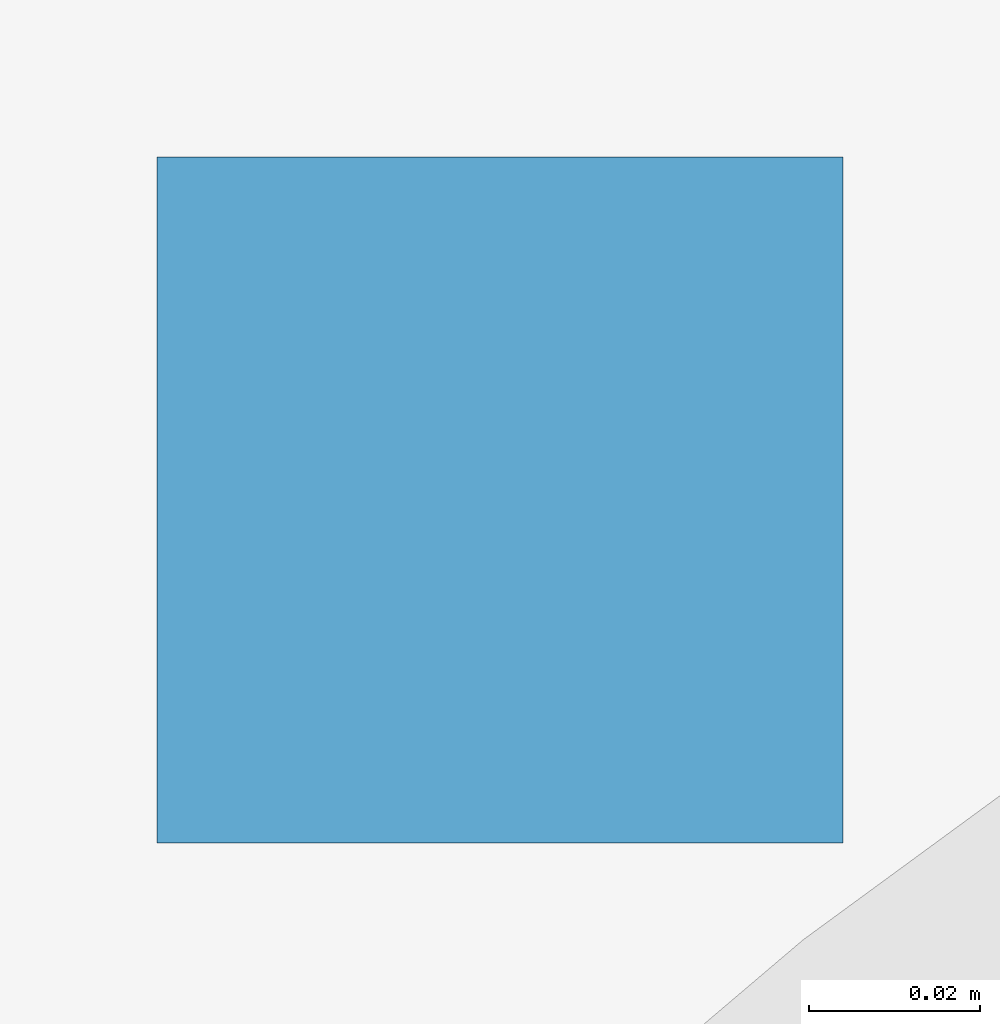
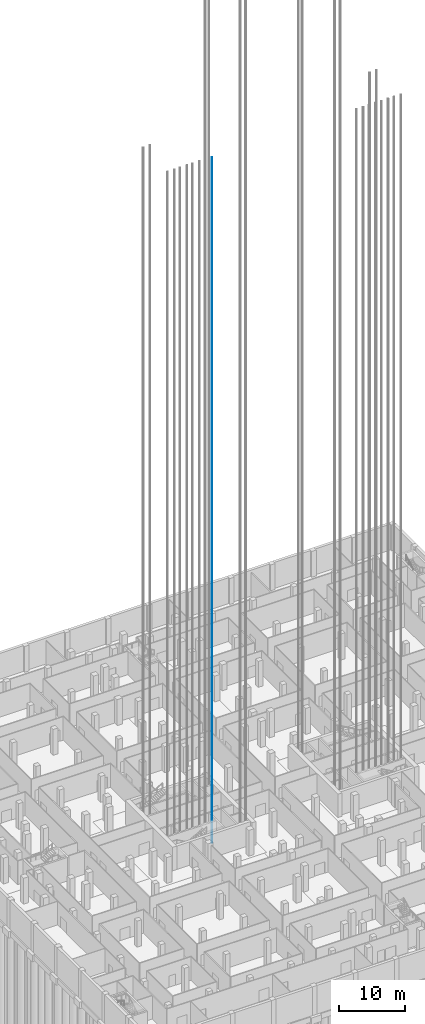
# One storey, part 33 of 54: 1 discrete accessory.
"""IFC4 building model written with IfcOpenShell, lengths in metres."""

from ifc_helpers import new_model, si_unit, direction, frame, origin, origin_2d, place, context, subcontext, project, spatial, rectangle, extrude, material, element, save


model = new_model("IFC4")

# Units and contexts
model_context = context("Model", 3, precision=1e-05, world=origin(), true_north=direction((0.0, 1.0)))
body_context = subcontext(model_context, "Body", "Model", "MODEL_VIEW")
ifc_project = project(units=[si_unit("LENGTHUNIT", "METRE"), si_unit("AREAUNIT", "SQUARE_METRE"), si_unit("VOLUMEUNIT", "CUBIC_METRE"), si_unit("PLANEANGLEUNIT", "RADIAN"), si_unit("MASSUNIT", "GRAM", prefix="KILO")], contexts=[model_context])

# Site, building, storey
site_placement = place(None, origin())
site = spatial("IfcSite", under=ifc_project, at=site_placement, CompositionType="ELEMENT")
building_placement = place(site_placement, origin())
building = spatial("IfcBuilding", under=site, at=building_placement, Name="Fustian Cross Tower", CompositionType="ELEMENT")
storey_placement = place(building_placement, frame((0.0, 0.0, -4.800048828125)))
storey = spatial("IfcBuildingStorey", under=building, at=storey_placement, Name="B1", CompositionType="ELEMENT", Elevation=-4.800048828125)

# Discrete accessory
ifc_material = material(Name="Steel S355", Category="steel")
discrete_accessory_placement = place(storey_placement, frame((-12.675048828125, -3.7099609375, 0.0), z_axis=(0.0, 0.0, 1.0), x_axis=(1.0, 0.0, 0.0)))
element("IfcDiscreteAccessory", 1, at=discrete_accessory_placement, inside=storey, material=ifc_material, Name="Lift guide rail LR1W 2", PredefinedType="NOTDEFINED", context=body_context, shape_type="SweptSolid", body=[
    extrude(rectangle(XDim=0.080078125, YDim=0.080078125, at=origin_2d()), origin(), (0.0, 0.0, 1.0), 127.14990234375),
])

save(model, "model.ifc")
